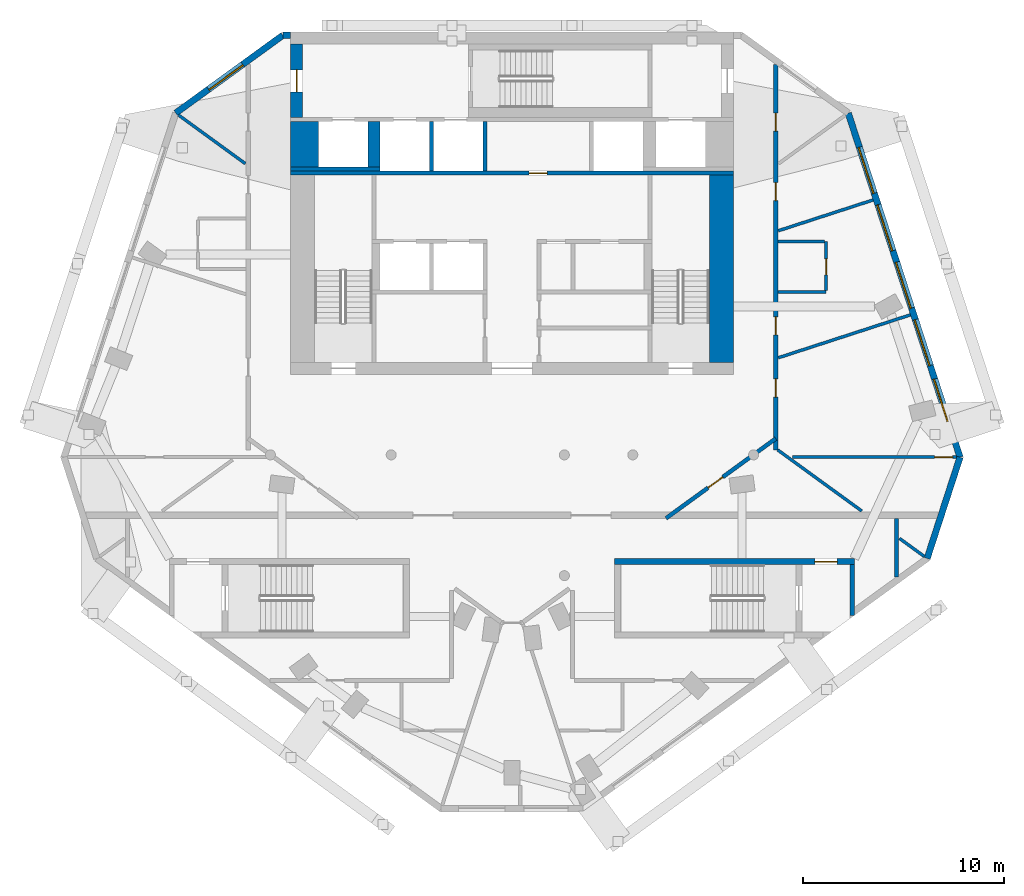
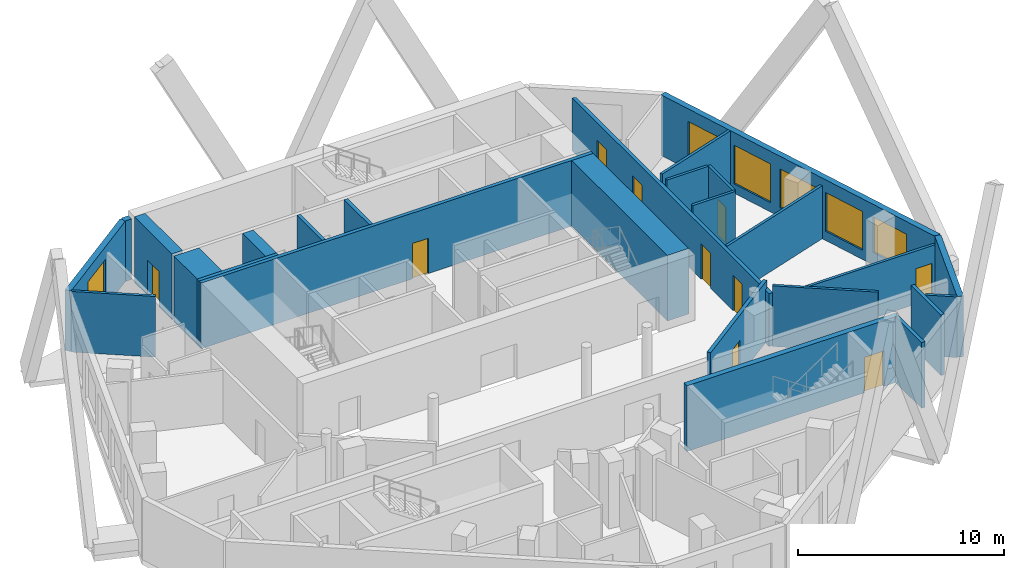
# One storey, part 5 of 8: 26 walls, 10 doors, 6 windows, 16 openings.
"""IFC4 building model written with IfcOpenShell, lengths in metres."""

import ifcopenshell
import ifcopenshell.guid

model = None  # the IFC model being written
_history = None  # IfcOwnerHistory: only IFC2X3 demands one
_inside = {}  # id of a spatial element -> (the spatial element, [elements in it])
_under = {}  # id of a project, library or spatial element -> (it, [spatial elements below it])
_declared = {}  # id of a project -> (the project, [libraries it declares])
_typed = {}  # id of a type object -> (the type object, [elements of that type])
_made_of = {}  # id of a material, layer set ... -> (it, [elements and type objects made of it])


def new_model(schema):
    """Start an empty IFC model of exactly this schema.

    Asked for "IFC4X3", IfcOpenShell would pick the latest addendum, in which some entities
    have other attributes; the version numbers below select the first issue.
    IFC2X3 requires an IfcOwnerHistory on every rooted entity: one is made here for all.
    """
    global model, _history
    if schema == "IFC4X3":
        model = ifcopenshell.file(schema_version=(4, 3, 0, 0))
    else:
        model = ifcopenshell.file(schema=schema)
    _inside.clear()
    _under.clear()
    _declared.clear()
    _typed.clear()
    _made_of.clear()
    _history = None
    if model.schema == "IFC2X3":
        org = make("IfcOrganization", Name="unknown")
        user = make(
            "IfcPersonAndOrganization",
            ThePerson=make("IfcPerson", FamilyName="unknown"),
            TheOrganization=org,
        )
        app = make(
            "IfcApplication",
            ApplicationDeveloper=org,
            Version="unknown",
            ApplicationFullName="unknown",
            ApplicationIdentifier="unknown",
        )
        _history = make(
            "IfcOwnerHistory",
            OwningUser=user,
            OwningApplication=app,
            ChangeAction="ADDED",
            CreationDate=0,
        )
    return model


def make(cls, **values):
    """One entity of the class cls with the attributes given. An attribute that is None is left unset."""
    return model.create_entity(
        cls, **{name: value for name, value in values.items() if value is not None}
    )


def rooted(cls, **values):
    """An entity with a GlobalId (a new one), such as an element, a storey or a relation."""
    return make(cls, GlobalId=ifcopenshell.guid.new(), OwnerHistory=_history, **values)


def si_unit(unit_type, name, prefix=None):
    """IfcSIUnit, for example si_unit("LENGTHUNIT", "METRE", prefix="MILLI")."""
    return make("IfcSIUnit", UnitType=unit_type, Prefix=prefix, Name=name)


def assignment(units):
    """IfcUnitAssignment: the units of a project."""
    return None if units is None else make("IfcUnitAssignment", Units=units)


def point(xyz):
    """IfcCartesianPoint."""
    return None if xyz is None else make("IfcCartesianPoint", Coordinates=xyz)


def direction(xyz):
    """IfcDirection."""
    return None if xyz is None else make("IfcDirection", DirectionRatios=xyz)


def frame(location, z_axis=None, x_axis=None):
    """IfcAxis2Placement3D, a coordinate frame: its origin and axes. An axis left out is left unset."""
    return make(
        "IfcAxis2Placement3D",
        Location=point(location),
        Axis=direction(z_axis),
        RefDirection=direction(x_axis),
    )


def frame_2d(location, x_axis=None):
    """IfcAxis2Placement2D, a coordinate frame in the plane: its origin and x axis."""
    return make(
        "IfcAxis2Placement2D", Location=point(location), RefDirection=direction(x_axis)
    )


def origin():
    """The frame at (0, 0, 0) with its axes left unset."""
    return frame((0.0, 0.0, 0.0))


def place(relative_to, where):
    """IfcLocalPlacement: puts the frame where relative to a parent placement (None: the world)."""
    return make(
        "IfcLocalPlacement", PlacementRelTo=relative_to, RelativePlacement=where
    )


def context(
    kind, dimensions, precision=None, world=None, true_north=None, identifier=None
):
    """IfcGeometricRepresentationContext, for example the 3D "Model" context."""
    return make(
        "IfcGeometricRepresentationContext",
        ContextIdentifier=identifier,
        ContextType=kind,
        CoordinateSpaceDimension=dimensions,
        Precision=precision,
        WorldCoordinateSystem=world,
        TrueNorth=true_north,
    )


def subcontext(parent, identifier, kind, view, scale=None):
    """IfcGeometricRepresentationSubContext, for example "Body" below "Model"."""
    return make(
        "IfcGeometricRepresentationSubContext",
        ContextIdentifier=identifier,
        ContextType=kind,
        ParentContext=parent,
        TargetScale=scale,
        TargetView=view,
    )


def project(units=None, contexts=None):
    """IfcProject with its units and contexts."""
    return rooted(
        "IfcProject",
        Name="project",
        RepresentationContexts=contexts,
        UnitsInContext=assignment(units),
    )


def spatial(cls, under=None, at=None, **own):
    """A site, building, storey or space (cls), placed at a placement, below another one or the project."""
    s = rooted(cls, ObjectPlacement=at, **own)
    if under is not None:
        _under.setdefault(under.id(), (under, []))[1].append(s)
    return s


def profile(cls, at=None, kind="AREA", **sizes):
    """A parametric profile (cls). Its sizes go by their IFC names, for example OverallWidth=200.0."""
    return make(cls, ProfileType=kind, Position=at, **sizes)


def rectangle(**sizes):
    """IfcRectangleProfileDef."""
    return profile("IfcRectangleProfileDef", **sizes)


def extrude(swept, where, along, depth):
    """IfcExtrudedAreaSolid: the profile swept, set in the frame where, extruded along a direction by depth."""
    return make(
        "IfcExtrudedAreaSolid",
        SweptArea=swept,
        Position=where,
        ExtrudedDirection=direction(along),
        Depth=depth,
    )


def shape(context_of_items, identifier, shape_type, items):
    """IfcShapeRepresentation: the items that make up one representation, for example the "Body"."""
    return make(
        "IfcShapeRepresentation",
        ContextOfItems=context_of_items,
        RepresentationIdentifier=identifier,
        RepresentationType=shape_type,
        Items=items,
    )


def material(Name=None, Category=None):
    """IfcMaterial."""
    return make("IfcMaterial", Name=Name, Category=Category)


def layer(
    of_material, thickness, ventilated=None, Name=None, Category=None, Priority=None
):
    """IfcMaterialLayer: one layer of a wall or slab, of a material (None: an air gap)."""
    return make(
        "IfcMaterialLayer",
        Material=of_material,
        LayerThickness=thickness,
        IsVentilated=ventilated,
        Name=Name,
        Category=Category,
        Priority=Priority,
    )


def layer_set(layers, Name=None):
    """IfcMaterialLayerSet."""
    return make("IfcMaterialLayerSet", MaterialLayers=layers, LayerSetName=Name)


def made_of(thing, what):
    """Note that an element or type object is made of a material, layer set ...; save() writes the relation."""
    if what is not None:
        _made_of.setdefault(what.id(), (what, []))[1].append(thing)
    return thing


def type_object(cls, material=None, **own):
    """A type object (cls), such as IfcWallType, which elements share."""
    return made_of(rooted(cls, **own), material)


def element(
    cls,
    number,
    at=None,
    inside=None,
    cuts=None,
    type_object=None,
    material=None,
    context=None,
    identifier="Body",
    shape_type=None,
    held_by="IfcProductDefinitionShape",
    body=None,
    shapes=None,
    **own,
):
    """One element of the class cls, such as IfcWall. Its Tag is "e" and its number.

    at: its placement. inside: the storey or other place that contains it. cuts: it is an
    opening in that element (IfcRelVoidsElement). A single representation is given by context,
    identifier, shape_type and body (its items); several are given by shapes. held_by: the class
    of the entity that holds the representations. save() writes the other relations.
    """
    e = rooted(cls, Tag="e%d" % number, ObjectPlacement=at, **own)
    if body is not None:
        shapes = [shape(context, identifier, shape_type, body)]
    if shapes is not None:
        e.Representation = make(held_by, Representations=shapes)
    if inside is not None:
        _inside.setdefault(inside.id(), (inside, []))[1].append(e)
    if cuts is not None:
        rooted(
            "IfcRelVoidsElement", RelatingBuildingElement=cuts, RelatedOpeningElement=e
        )
    if type_object is not None:
        _typed.setdefault(type_object.id(), (type_object, []))[1].append(e)
    return made_of(e, material)


def fill(opening, filler):
    """IfcRelFillsElement: the door or window that sits in an opening."""
    return rooted(
        "IfcRelFillsElement",
        RelatingOpeningElement=opening,
        RelatedBuildingElement=filler,
    )


def aggregate(whole, parts):
    """IfcRelAggregates: a whole, such as a stair, and the parts it consists of."""
    return rooted("IfcRelAggregates", RelatingObject=whole, RelatedObjects=parts)


def save(model, path):
    """Write the relations noted so far, then the file.

    IfcRelAggregates (storeys below a building ...), IfcRelContainedInSpatialStructure (elements
    in a storey), IfcRelDefinesByType, IfcRelAssociatesMaterial and IfcRelDeclares: one each for
    every whole, place, type object, material and project.
    """
    for whole, parts in _under.values():
        aggregate(whole, parts)
    for where, things in _inside.values():
        rooted(
            "IfcRelContainedInSpatialStructure",
            RelatedElements=things,
            RelatingStructure=where,
        )
    for kind, things in _typed.values():
        rooted("IfcRelDefinesByType", RelatedObjects=things, RelatingType=kind)
    for what, things in _made_of.values():
        rooted("IfcRelAssociatesMaterial", RelatedObjects=things, RelatingMaterial=what)
    for by, libraries in _declared.values():
        rooted("IfcRelDeclares", RelatingContext=by, RelatedDefinitions=libraries)
    model.write(path)


model = new_model("IFC4")

# Units and contexts
model_context = context("Model", 3, precision=1e-05, world=origin(), true_north=direction((0.0, 1.0)))
body_context = subcontext(model_context, "Body", "Model", "MODEL_VIEW")
ifc_project = project(units=[si_unit("LENGTHUNIT", "METRE"), si_unit("AREAUNIT", "SQUARE_METRE"), si_unit("VOLUMEUNIT", "CUBIC_METRE"), si_unit("PLANEANGLEUNIT", "RADIAN"), si_unit("MASSUNIT", "GRAM", prefix="KILO")], contexts=[model_context])

# Site, building, storey
site_placement = place(None, origin())
site = spatial("IfcSite", under=ifc_project, at=site_placement, CompositionType="ELEMENT")
building_placement = place(site_placement, origin())
building = spatial("IfcBuilding", under=site, at=building_placement, Name="White Candle Pilgrim Tower", CompositionType="ELEMENT")
storey_placement = place(building_placement, frame((0.0, 0.0, 306.10009765625)))
storey = spatial("IfcBuildingStorey", under=building, at=storey_placement, Name="L72", CompositionType="ELEMENT", Elevation=306.10009765625)

# Walls
ifc_material_1 = material(Name="Concrete C40/50", Category="concrete")
ifc_layer_1 = layer(ifc_material_1, 1.39990234375)
ifc_layer_set_1 = layer_set([ifc_layer_1], Name="Core wall 1400 mm Concrete C40/50")
wall_type_1 = type_object("IfcWallType", Name="Core wall 1400 mm Concrete C40/50", PredefinedType="SHEAR", material=ifc_layer_set_1)
wall_1_placement = place(storey_placement, frame((59.699951171875, 81.300048828125, 0.0), z_axis=(0.0, 0.0, 1.0), x_axis=(0.0, 1.0, 0.0)))
element("IfcWall", 1, at=wall_1_placement, inside=storey, type_object=wall_type_1, Name="WL-L72-C39", PredefinedType="SHEAR", context=body_context, shape_type="SweptSolid", body=[
    extrude(rectangle(XDim=2.25, YDim=1.39990234375, at=frame_2d((1.125, 0.0))), origin(), (0.0, 0.0, 1.0), 3.89990234375),
])
ifc_layer_2 = layer(ifc_material_1, 0.199951171875)
ifc_layer_set_2 = layer_set([ifc_layer_2], Name="Core wall 200 mm Concrete C40/50")
wall_type_2 = type_object("IfcWallType", Name="Core wall 200 mm Concrete C40/50", PredefinedType="SHEAR", material=ifc_layer_set_2)
wall_2_placement = place(storey_placement, frame((86.89990234375, 59.023193359375, 0.0), z_axis=(0.0, 0.0, 1.0), x_axis=(0.0, 1.0, 0.0)))
element("IfcWall", 2, at=wall_2_placement, inside=storey, type_object=wall_type_2, Name="WL-L72-C08", PredefinedType="SHEAR", context=body_context, shape_type="SweptSolid", body=[
    extrude(rectangle(XDim=2.52685546875, YDim=0.199951171875, at=frame_2d((1.263427734375, 0.0))), origin(), (0.0, 0.0, 1.0), 3.89990234375),
])
wall_3_placement = place(storey_placement, frame((59.0, 81.199951171875, 0.0), z_axis=(0.0, 0.0, 1.0), x_axis=(1.0, 0.0, 0.0)))
element("IfcWall", 3, at=wall_3_placement, inside=storey, type_object=wall_type_2, Name="WL-L72-C34", PredefinedType="SHEAR", context=body_context, shape_type="SweptSolid", body=[
    extrude(rectangle(XDim=4.449951171875, YDim=0.199951171875, at=frame_2d((2.22509765625, 0.0))), origin(), (0.0, 0.0, 1.0), 3.89990234375),
])

# Wall, opening, door
ifc_layer_3 = layer(ifc_material_1, 0.60009765625)
ifc_layer_set_3 = layer_set([ifc_layer_3], Name="Core wall 600 mm Concrete C40/50")
wall_type_3 = type_object("IfcWallType", Name="Core wall 600 mm Concrete C40/50", PredefinedType="SHEAR", material=ifc_layer_set_3)
wall_4_placement = place(storey_placement, frame((59.300048828125, 83.75, 0.0), z_axis=(0.0, 0.0, 1.0), x_axis=(0.0, 1.0, 0.0)))
wall_4 = element("IfcWall", 4, at=wall_4_placement, inside=storey, type_object=wall_type_3, Name="WL-L72-C44", PredefinedType="SHEAR", context=body_context, shape_type="SweptSolid", body=[
    extrude(rectangle(XDim=3.64990234375, YDim=0.60009765625, at=frame_2d((1.824951171875, 0.0))), origin(), (0.0, 0.0, 1.0), 3.89990234375),
])
opening_1_placement = place(wall_4_placement, frame((1.27490234375, 0.0, 0.0)))
opening_1 = element("IfcOpeningElement", 5, at=opening_1_placement, cuts=wall_4, Name="Opening T22-008", PredefinedType="OPENING", context=body_context, shape_type="SweptSolid", body=[
    extrude(rectangle(XDim=1.10009765625, YDim=2.10009765625, at=frame_2d((0.550048828125, 1.050048828125))), frame((0.0, 0.31005859375, 0.0), z_axis=(0.0, -1.0, 0.0), x_axis=(1.0, 0.0, 0.0)), (0.0, 0.0, 1.0), 0.6201171875),
])
ifc_material_2 = material(Name="Steel door leaf", Category="steel")
door_type_1 = type_object("IfcDoorType", Name="Fire door 1100 x 2100 EI 60", OperationType="NOTDEFINED", PredefinedType="DOOR", material=ifc_material_2)
door_1_placement = place(opening_1_placement, origin())
door_1 = element("IfcDoor", 6, at=door_1_placement, inside=storey, type_object=door_type_1, Name="Door T22-008", OperationType="SINGLE_SWING_RIGHT", OverallHeight=2.10009765625, OverallWidth=1.10009765625, PredefinedType="DOOR", context=body_context, shape_type="SweptSolid", body=[
    extrude(rectangle(XDim=1.10009765625, YDim=2.10009765625, at=frame_2d((0.550048828125, 1.050048828125))), frame((0.0, 0.02490234375, 0.0), z_axis=(0.0, -1.0, 0.0), x_axis=(1.0, 0.0, 0.0)), (0.0, 0.0, 1.0), 0.050048828125),
])
fill(opening_1, door_1)

# Wall, openings, doors
ifc_material_3 = material(Name="Gypsum board on steel studs", Category="steel")
ifc_layer_4 = layer(ifc_material_3, 0.199951171875)
ifc_layer_set_4 = layer_set([ifc_layer_4], Name="Corridor wall 200 mm EI 45")
wall_type_4 = type_object("IfcWallType", Name="Corridor wall 200 mm EI 45", PredefinedType="PARTITIONING", material=ifc_layer_set_4)
wall_5_placement = place(storey_placement, frame((83.10009765625, 86.396240234375, 0.0), z_axis=(0.0, 0.0, 1.0), x_axis=(0.0, -1.0, 0.0)))
wall_5 = element("IfcWall", 7, at=wall_5_placement, inside=storey, type_object=wall_type_4, Name="WL-L72-P005", PredefinedType="PARTITIONING", context=body_context, shape_type="SweptSolid", body=[
    extrude(rectangle(XDim=19.14404296875, YDim=0.199951171875, at=frame_2d((9.572021484375, 0.0))), origin(), (0.0, 0.0, 1.0), 3.14990234375),
])
opening_2_placement = place(wall_5_placement, frame((2.421630859375, 0.0, 0.0)))
opening_2 = element("IfcOpeningElement", 8, at=opening_2_placement, cuts=wall_5, Name="Opening T22-113", PredefinedType="OPENING", context=body_context, shape_type="SweptSolid", body=[
    extrude(rectangle(XDim=0.89990234375, YDim=2.10009765625, at=frame_2d((0.449951171875, 1.050048828125))), frame((0.0, 0.10986328125, 0.0), z_axis=(0.0, -1.0, 0.0), x_axis=(1.0, 0.0, 0.0)), (0.0, 0.0, 1.0), 0.219970703125),
])
opening_3_placement = place(wall_5_placement, frame((5.872802734375, 0.0, 0.0)))
opening_3 = element("IfcOpeningElement", 9, at=opening_3_placement, cuts=wall_5, Name="Opening T22-114", PredefinedType="OPENING", context=body_context, shape_type="SweptSolid", body=[
    extrude(rectangle(XDim=0.89990234375, YDim=2.10009765625, at=frame_2d((0.449951171875, 1.050048828125))), frame((0.0, 0.10986328125, 0.0), z_axis=(0.0, -1.0, 0.0), x_axis=(1.0, 0.0, 0.0)), (0.0, 0.0, 1.0), 0.219970703125),
])
opening_4_placement = place(wall_5_placement, frame((12.539306640625, 0.0, 0.0)))
opening_4 = element("IfcOpeningElement", 10, at=opening_4_placement, cuts=wall_5, Name="Opening T22-115", PredefinedType="OPENING", context=body_context, shape_type="SweptSolid", body=[
    extrude(rectangle(XDim=0.89990234375, YDim=2.10009765625, at=frame_2d((0.449951171875, 1.050048828125))), frame((0.0, 0.10986328125, 0.0), z_axis=(0.0, -1.0, 0.0), x_axis=(1.0, 0.0, 0.0)), (0.0, 0.0, 1.0), 0.219970703125),
])
opening_5_placement = place(wall_5_placement, frame((15.6279296875, 0.0, 0.0)))
opening_5 = element("IfcOpeningElement", 11, at=opening_5_placement, cuts=wall_5, Name="Opening T22-116", PredefinedType="OPENING", context=body_context, shape_type="SweptSolid", body=[
    extrude(rectangle(XDim=0.89990234375, YDim=2.10009765625, at=frame_2d((0.449951171875, 1.050048828125))), frame((0.0, 0.10986328125, 0.0), z_axis=(0.0, -1.0, 0.0), x_axis=(1.0, 0.0, 0.0)), (0.0, 0.0, 1.0), 0.219970703125),
])
door_type_2 = type_object("IfcDoorType", Name="Fire door 900 x 2100 EI 30", OperationType="NOTDEFINED", PredefinedType="DOOR", material=ifc_material_2)
door_2_placement = place(opening_2_placement, origin())
door_2 = element("IfcDoor", 12, at=door_2_placement, inside=storey, type_object=door_type_2, Name="Door T22-113", OperationType="SINGLE_SWING_LEFT", OverallHeight=2.10009765625, OverallWidth=0.89990234375, PredefinedType="DOOR", context=body_context, shape_type="SweptSolid", body=[
    extrude(rectangle(XDim=0.89990234375, YDim=2.10009765625, at=frame_2d((0.449951171875, 1.050048828125))), frame((0.0, 0.02490234375, 0.0), z_axis=(0.0, -1.0, 0.0), x_axis=(1.0, 0.0, 0.0)), (0.0, 0.0, 1.0), 0.050048828125),
])
fill(opening_2, door_2)
door_3_placement = place(opening_3_placement, origin())
door_3 = element("IfcDoor", 13, at=door_3_placement, inside=storey, type_object=door_type_2, Name="Door T22-114", OperationType="SINGLE_SWING_RIGHT", OverallHeight=2.10009765625, OverallWidth=0.89990234375, PredefinedType="DOOR", context=body_context, shape_type="SweptSolid", body=[
    extrude(rectangle(XDim=0.89990234375, YDim=2.10009765625, at=frame_2d((0.449951171875, 1.050048828125))), frame((0.0, 0.02490234375, 0.0), z_axis=(0.0, -1.0, 0.0), x_axis=(1.0, 0.0, 0.0)), (0.0, 0.0, 1.0), 0.050048828125),
])
fill(opening_3, door_3)
door_4_placement = place(opening_4_placement, origin())
door_4 = element("IfcDoor", 14, at=door_4_placement, inside=storey, type_object=door_type_2, Name="Door T22-115", OperationType="SINGLE_SWING_LEFT", OverallHeight=2.10009765625, OverallWidth=0.89990234375, PredefinedType="DOOR", context=body_context, shape_type="SweptSolid", body=[
    extrude(rectangle(XDim=0.89990234375, YDim=2.10009765625, at=frame_2d((0.449951171875, 1.050048828125))), frame((0.0, 0.02490234375, 0.0), z_axis=(0.0, -1.0, 0.0), x_axis=(1.0, 0.0, 0.0)), (0.0, 0.0, 1.0), 0.050048828125),
])
fill(opening_4, door_4)
door_5_placement = place(opening_5_placement, origin())
door_5 = element("IfcDoor", 15, at=door_5_placement, inside=storey, type_object=door_type_2, Name="Door T22-116", OperationType="SINGLE_SWING_RIGHT", OverallHeight=2.10009765625, OverallWidth=0.89990234375, PredefinedType="DOOR", context=body_context, shape_type="SweptSolid", body=[
    extrude(rectangle(XDim=0.89990234375, YDim=2.10009765625, at=frame_2d((0.449951171875, 1.050048828125))), frame((0.0, 0.02490234375, 0.0), z_axis=(0.0, -1.0, 0.0), x_axis=(1.0, 0.0, 0.0)), (0.0, 0.0, 1.0), 0.050048828125),
])
fill(opening_5, door_5)

# Wall, opening, door
wall_6_placement = place(storey_placement, frame((83.10009765625, 67.80859375, 0.0), z_axis=(0.0, 0.0, 1.0), x_axis=(-0.809033820778, -0.587762092038, 0.0)))
wall_6 = element("IfcWall", 16, at=wall_6_placement, inside=storey, type_object=wall_type_4, Name="WL-L72-P006", PredefinedType="PARTITIONING", context=body_context, shape_type="SweptSolid", body=[
    extrude(rectangle(XDim=6.73486328125, YDim=0.199951171875, at=frame_2d((3.367431640625, 0.0))), origin(), (0.0, 0.0, 1.0), 3.599853515625),
])
opening_6_placement = place(wall_6_placement, frame((3.254150390625, 0.0, 0.0)))
opening_6 = element("IfcOpeningElement", 17, at=opening_6_placement, cuts=wall_6, Name="Opening T22-118", PredefinedType="OPENING", context=body_context, shape_type="SweptSolid", body=[
    extrude(rectangle(XDim=0.89990234375, YDim=2.10009765625, at=frame_2d((0.449951171875, 1.050048828125))), frame((0.0, 0.10986328125, 0.0), z_axis=(0.0, -1.0, 0.0), x_axis=(1.0, 0.0, 0.0)), (0.0, 0.0, 1.0), 0.219970703125),
])
door_6_placement = place(opening_6_placement, origin())
door_6 = element("IfcDoor", 18, at=door_6_placement, inside=storey, type_object=door_type_2, Name="Door T22-118", OperationType="SINGLE_SWING_RIGHT", OverallHeight=2.10009765625, OverallWidth=0.89990234375, PredefinedType="DOOR", context=body_context, shape_type="SweptSolid", body=[
    extrude(rectangle(XDim=0.89990234375, YDim=2.10009765625, at=frame_2d((0.449951171875, 1.050048828125))), frame((0.0, 0.02490234375, 0.0), z_axis=(0.0, -1.0, 0.0), x_axis=(1.0, 0.0, 0.0)), (0.0, 0.0, 1.0), 0.050048828125),
])
fill(opening_6, door_6)

# Walls
wall_7_placement = place(storey_placement, frame((89.10009765625, 63.85009765625, 0.0), z_axis=(0.0, 0.0, 1.0), x_axis=(0.0, -1.0, 0.0)))
element("IfcWall", 19, at=wall_7_placement, inside=storey, type_object=wall_type_4, Name="WL-L72-P007", PredefinedType="PARTITIONING", context=body_context, shape_type="SweptSolid", body=[
    extrude(rectangle(XDim=2.90576171875, YDim=0.199951171875, at=frame_2d((1.452880859375, 0.0))), origin(), (0.0, 0.0, 1.0), 3.599853515625),
])
ifc_material_4 = material(Name="Precast concrete C40/50", Category="concrete")
ifc_layer_5 = layer(ifc_material_4, 0.320068359375)
ifc_layer_set_5 = layer_set([ifc_layer_5], Name="Facade wall EW1 precast concrete C40/50 pier wall with timber-lined reveals")
wall_type_5 = type_object("IfcWallType", Name="Facade wall EW1 precast concrete C40/50 pier wall with timber-lined reveals", PredefinedType="SOLIDWALL", material=ifc_layer_set_5)
wall_8_placement = place(storey_placement, frame((90.62060546875, 61.8515625, 0.0), z_axis=(0.0, 0.0, 1.0), x_axis=(0.30904851291, 0.951046274725, 0.0)))
element("IfcWall", 20, at=wall_8_placement, inside=storey, type_object=wall_type_5, Name="Facade wall L72 E chamfer", PredefinedType="SOLIDWALL", context=body_context, shape_type="SweptSolid", body=[
    extrude(rectangle(XDim=5.291259765625, YDim=0.320068359375, at=frame_2d((2.6455078125, 0.0))), origin(), (0.0, 0.0, 1.0), 3.599853515625),
])

# Wall, openings, windows
wall_9_placement = place(storey_placement, frame((92.255859375, 66.8837890625, 0.0), z_axis=(0.0, 0.0, 1.0), x_axis=(-0.309017883781, 0.951056227309, 0.0)))
wall_9 = element("IfcWall", 21, at=wall_9_placement, inside=storey, type_object=wall_type_5, Name="Facade wall L72 ENE", PredefinedType="SOLIDWALL", context=body_context, shape_type="SweptSolid", body=[
    extrude(rectangle(XDim=17.972900390625, YDim=0.320068359375, at=frame_2d((8.986328125, 0.0))), origin(), (0.0, 0.0, 1.0), 3.599853515625),
])
opening_7_placement = place(wall_9_placement, frame((1.886474609375, 0.0, 0.75)))
opening_7 = element("IfcOpeningElement", 22, at=opening_7_placement, cuts=wall_9, Name="Opening W4", PredefinedType="OPENING", context=body_context, shape_type="SweptSolid", body=[
    extrude(rectangle(XDim=2.199951171875, YDim=2.10009765625, at=frame_2d((1.10009765625, 1.050048828125))), frame((0.0, 0.169921875, 0.0), z_axis=(0.0, -1.0, 0.0), x_axis=(1.0, 0.0, 0.0)), (0.0, 0.0, 1.0), 0.340087890625),
])
opening_8_placement = place(wall_9_placement, frame((4.78662109375, 0.0, 0.550048828125)))
opening_8 = element("IfcOpeningElement", 23, at=opening_8_placement, cuts=wall_9, Name="Opening W5", PredefinedType="OPENING", context=body_context, shape_type="SweptSolid", body=[
    extrude(rectangle(XDim=2.39990234375, YDim=2.300048828125, at=frame_2d((1.199951171875, 1.14990234375))), frame((0.0, 0.169921875, 0.0), z_axis=(0.0, -1.0, 0.0), x_axis=(1.0, 0.0, 0.0)), (0.0, 0.0, 1.0), 0.340087890625),
])
opening_9_placement = place(wall_9_placement, frame((7.78662109375, 0.0, 0.550048828125)))
opening_9 = element("IfcOpeningElement", 24, at=opening_9_placement, cuts=wall_9, Name="Opening W5", PredefinedType="OPENING", context=body_context, shape_type="SweptSolid", body=[
    extrude(rectangle(XDim=2.39990234375, YDim=2.300048828125, at=frame_2d((1.199951171875, 1.14990234375))), frame((0.0, 0.169921875, 0.0), z_axis=(0.0, -1.0, 0.0), x_axis=(1.0, 0.0, 0.0)), (0.0, 0.0, 1.0), 0.340087890625),
])
opening_10_placement = place(wall_9_placement, frame((10.78662109375, 0.0, 0.550048828125)))
opening_10 = element("IfcOpeningElement", 25, at=opening_10_placement, cuts=wall_9, Name="Opening W5", PredefinedType="OPENING", context=body_context, shape_type="SweptSolid", body=[
    extrude(rectangle(XDim=2.39990234375, YDim=2.300048828125, at=frame_2d((1.199951171875, 1.14990234375))), frame((0.0, 0.169921875, 0.0), z_axis=(0.0, -1.0, 0.0), x_axis=(1.0, 0.0, 0.0)), (0.0, 0.0, 1.0), 0.340087890625),
])
opening_11_placement = place(wall_9_placement, frame((13.78662109375, 0.0, 0.550048828125)))
opening_11 = element("IfcOpeningElement", 26, at=opening_11_placement, cuts=wall_9, Name="Opening W5", PredefinedType="OPENING", context=body_context, shape_type="SweptSolid", body=[
    extrude(rectangle(XDim=2.39990234375, YDim=2.300048828125, at=frame_2d((1.199951171875, 1.14990234375))), frame((0.0, 0.169921875, 0.0), z_axis=(0.0, -1.0, 0.0), x_axis=(1.0, 0.0, 0.0)), (0.0, 0.0, 1.0), 0.340087890625),
])
ifc_material_5 = material(Name="Timber frame with triple glazing", Category="wood")
window_type_1 = type_object("IfcWindowType", Name="Window W4 2200x2100 timber frame triple glazing", PartitioningType="SINGLE_PANEL", PredefinedType="WINDOW", material=ifc_material_5)
window_1_placement = place(opening_7_placement, origin())
window_1 = element("IfcWindow", 27, at=window_1_placement, inside=storey, type_object=window_type_1, Name="Window W4 L72 ENE 1", OverallHeight=2.10009765625, OverallWidth=2.199951171875, PartitioningType="SINGLE_PANEL", PredefinedType="WINDOW", context=body_context, shape_type="SweptSolid", body=[
    extrude(rectangle(XDim=2.199951171875, YDim=2.10009765625, at=frame_2d((1.10009765625, 1.050048828125))), frame((0.0, 0.070068359375, 0.0), z_axis=(0.0, -1.0, 0.0), x_axis=(1.0, 0.0, 0.0)), (0.0, 0.0, 1.0), 0.06005859375),
])
fill(opening_7, window_1)
window_type_2 = type_object("IfcWindowType", Name="Window W5 2400x2300 timber frame triple glazing", PartitioningType="SINGLE_PANEL", PredefinedType="WINDOW", material=ifc_material_5)
window_2_placement = place(opening_8_placement, origin())
window_2 = element("IfcWindow", 28, at=window_2_placement, inside=storey, type_object=window_type_2, Name="Window W5 L72 ENE 2", OverallHeight=2.300048828125, OverallWidth=2.39990234375, PartitioningType="SINGLE_PANEL", PredefinedType="WINDOW", context=body_context, shape_type="SweptSolid", body=[
    extrude(rectangle(XDim=2.39990234375, YDim=2.300048828125, at=frame_2d((1.199951171875, 1.14990234375))), frame((0.0, 0.070068359375, 0.0), z_axis=(0.0, -1.0, 0.0), x_axis=(1.0, 0.0, 0.0)), (0.0, 0.0, 1.0), 0.06005859375),
])
fill(opening_8, window_2)
window_3_placement = place(opening_9_placement, origin())
window_3 = element("IfcWindow", 29, at=window_3_placement, inside=storey, type_object=window_type_2, Name="Window W5 L72 ENE 3", OverallHeight=2.300048828125, OverallWidth=2.39990234375, PartitioningType="SINGLE_PANEL", PredefinedType="WINDOW", context=body_context, shape_type="SweptSolid", body=[
    extrude(rectangle(XDim=2.39990234375, YDim=2.300048828125, at=frame_2d((1.199951171875, 1.14990234375))), frame((0.0, 0.070068359375, 0.0), z_axis=(0.0, -1.0, 0.0), x_axis=(1.0, 0.0, 0.0)), (0.0, 0.0, 1.0), 0.06005859375),
])
fill(opening_9, window_3)
window_4_placement = place(opening_10_placement, origin())
window_4 = element("IfcWindow", 30, at=window_4_placement, inside=storey, type_object=window_type_2, Name="Window W5 L72 ENE 4", OverallHeight=2.300048828125, OverallWidth=2.39990234375, PartitioningType="SINGLE_PANEL", PredefinedType="WINDOW", context=body_context, shape_type="SweptSolid", body=[
    extrude(rectangle(XDim=2.39990234375, YDim=2.300048828125, at=frame_2d((1.199951171875, 1.14990234375))), frame((0.0, 0.070068359375, 0.0), z_axis=(0.0, -1.0, 0.0), x_axis=(1.0, 0.0, 0.0)), (0.0, 0.0, 1.0), 0.06005859375),
])
fill(opening_10, window_4)
window_5_placement = place(opening_11_placement, origin())
window_5 = element("IfcWindow", 31, at=window_5_placement, inside=storey, type_object=window_type_2, Name="Window W5 L72 ENE 5", OverallHeight=2.300048828125, OverallWidth=2.39990234375, PartitioningType="SINGLE_PANEL", PredefinedType="WINDOW", context=body_context, shape_type="SweptSolid", body=[
    extrude(rectangle(XDim=2.39990234375, YDim=2.300048828125, at=frame_2d((1.199951171875, 1.14990234375))), frame((0.0, 0.070068359375, 0.0), z_axis=(0.0, -1.0, 0.0), x_axis=(1.0, 0.0, 0.0)), (0.0, 0.0, 1.0), 0.06005859375),
])
fill(opening_11, window_5)

# Wall
wall_10_placement = place(storey_placement, frame((59.0, 87.840087890625, 0.0), z_axis=(0.0, 0.0, 1.0), x_axis=(-1.0, 0.0, 0.0)))
element("IfcWall", 32, at=wall_10_placement, inside=storey, type_object=wall_type_5, Name="Facade wall L72 N", PredefinedType="SOLIDWALL", context=body_context, shape_type="SweptSolid", body=[
    extrude(rectangle(XDim=0.385009765625, YDim=0.320068359375, at=frame_2d((0.1923828125, 0.0))), origin(), (0.0, 0.0, 1.0), 3.599853515625),
])

# Wall, opening, window
wall_11_placement = place(storey_placement, frame((58.614990234375, 87.840087890625, 0.0), z_axis=(0.0, 0.0, 1.0), x_axis=(-0.809010691028, -0.587793928007, 0.0)))
wall_11 = element("IfcWall", 33, at=wall_11_placement, inside=storey, type_object=wall_type_5, Name="Facade wall L72 NW chamfer", PredefinedType="SOLIDWALL", context=body_context, shape_type="SweptSolid", body=[
    extrude(rectangle(XDim=6.572021484375, YDim=0.320068359375, at=frame_2d((3.2861328125, 0.0))), origin(), (0.0, 0.0, 1.0), 3.599853515625),
])
opening_12_placement = place(wall_11_placement, frame((2.459716796875, 0.0, 0.75)))
opening_12 = element("IfcOpeningElement", 34, at=opening_12_placement, cuts=wall_11, Name="Opening W3", PredefinedType="OPENING", context=body_context, shape_type="SweptSolid", body=[
    extrude(rectangle(XDim=2.10009765625, YDim=2.10009765625, at=frame_2d((1.050048828125, 1.050048828125))), frame((0.0, 0.169921875, 0.0), z_axis=(0.0, -1.0, 0.0), x_axis=(1.0, 0.0, 0.0)), (0.0, 0.0, 1.0), 0.340087890625),
])
window_type_3 = type_object("IfcWindowType", Name="Window W3 2100x2100 timber frame triple glazing", PartitioningType="SINGLE_PANEL", PredefinedType="WINDOW", material=ifc_material_5)
window_6_placement = place(opening_12_placement, origin())
window_6 = element("IfcWindow", 35, at=window_6_placement, inside=storey, type_object=window_type_3, Name="Window W3 L72 NW chamfer 1", OverallHeight=2.10009765625, OverallWidth=2.10009765625, PartitioningType="SINGLE_PANEL", PredefinedType="WINDOW", context=body_context, shape_type="SweptSolid", body=[
    extrude(rectangle(XDim=2.10009765625, YDim=2.10009765625, at=frame_2d((1.050048828125, 1.050048828125))), frame((0.0, 0.070068359375, 0.0), z_axis=(0.0, -1.0, 0.0), x_axis=(1.0, 0.0, 0.0)), (0.0, 0.0, 1.0), 0.06005859375),
])
fill(opening_12, window_6)

# Walls
ifc_layer_6 = layer(ifc_material_3, 0.14990234375)
ifc_layer_set_6 = layer_set([ifc_layer_6], Name="Partition 150 mm EI 60")
wall_type_6 = type_object("IfcWallType", Name="Partition 150 mm EI 60", PredefinedType="PARTITIONING", material=ifc_layer_set_6)
wall_12_placement = place(storey_placement, frame((53.434326171875, 83.87841796875, 0.0), z_axis=(0.0, 0.0, 1.0), x_axis=(0.809005997221, -0.587800388279, 0.0)))
element("IfcWall", 36, at=wall_12_placement, inside=storey, type_object=wall_type_6, Name="WL-L72-P015", PredefinedType="PARTITIONING", context=body_context, shape_type="SweptSolid", body=[
    extrude(rectangle(XDim=4.105712890625, YDim=0.14990234375, at=frame_2d((2.052734375, 0.0))), origin(), (0.0, 0.0, 1.0), 3.599853515625),
])
wall_13_placement = place(storey_placement, frame((90.484619140625, 61.950439453125, 0.0), z_axis=(0.0, 0.0, 1.0), x_axis=(-0.809059590881, 0.587726618764, 0.0)))
element("IfcWall", 37, at=wall_13_placement, inside=storey, type_object=wall_type_6, Name="WL-L72-P021", PredefinedType="PARTITIONING", context=body_context, shape_type="SweptSolid", body=[
    extrude(rectangle(XDim=1.533203125, YDim=0.14990234375, at=frame_2d((0.7666015625, 0.0))), origin(), (0.0, 0.0, 1.0), 3.599853515625),
])
wall_14_placement = place(storey_placement, frame((87.37353515625, 64.210693359375, 0.0), z_axis=(0.0, 0.0, 1.0), x_axis=(-0.809024239464, 0.587775280153, 0.0)))
element("IfcWall", 38, at=wall_14_placement, inside=storey, type_object=wall_type_6, Name="WL-L72-P022", PredefinedType="PARTITIONING", context=body_context, shape_type="SweptSolid", body=[
    extrude(rectangle(XDim=5.164306640625, YDim=0.14990234375, at=frame_2d((2.58203125, 0.0))), origin(), (0.0, 0.0, 1.0), 3.599853515625),
])

# Wall, opening, door
wall_15_placement = place(storey_placement, frame((92.08740234375, 66.8837890625, 0.0), z_axis=(0.0, 0.0, 1.0), x_axis=(-1.0, 0.0, 0.0)))
wall_15 = element("IfcWall", 39, at=wall_15_placement, inside=storey, type_object=wall_type_6, Name="WL-L72-P023", PredefinedType="PARTITIONING", context=body_context, shape_type="SweptSolid", body=[
    extrude(rectangle(XDim=8.162353515625, YDim=0.14990234375, at=frame_2d((4.0810546875, 0.0))), origin(), (0.0, 0.0, 1.0), 3.14990234375),
])
opening_13_placement = place(wall_15_placement, frame((0.199951171875, 0.0, 0.0)))
opening_13 = element("IfcOpeningElement", 40, at=opening_13_placement, cuts=wall_15, Name="Opening T22-117", PredefinedType="OPENING", context=body_context, shape_type="SweptSolid", body=[
    extrude(rectangle(XDim=0.89990234375, YDim=2.10009765625, at=frame_2d((0.449951171875, 1.050048828125))), frame((0.0, 0.0849609375, 0.0), z_axis=(0.0, -1.0, 0.0), x_axis=(1.0, 0.0, 0.0)), (0.0, 0.0, 1.0), 0.169921875),
])
door_7_placement = place(opening_13_placement, origin())
door_7 = element("IfcDoor", 41, at=door_7_placement, inside=storey, type_object=door_type_2, Name="Door T22-117", OperationType="SINGLE_SWING_LEFT", OverallHeight=2.10009765625, OverallWidth=0.89990234375, PredefinedType="DOOR", context=body_context, shape_type="SweptSolid", body=[
    extrude(rectangle(XDim=0.89990234375, YDim=2.10009765625, at=frame_2d((0.449951171875, 1.050048828125))), frame((0.0, 0.02490234375, 0.0), z_axis=(0.0, -1.0, 0.0), x_axis=(1.0, 0.0, 0.0)), (0.0, 0.0, 1.0), 0.050048828125),
])
fill(opening_13, door_7)

# Walls
wall_16_placement = place(storey_placement, frame((89.7900390625, 73.95458984375, 0.0), z_axis=(0.0, 0.0, 1.0), x_axis=(-0.951053294802, -0.309026908936, 0.0)))
element("IfcWall", 42, at=wall_16_placement, inside=storey, type_object=wall_type_6, Name="WL-L72-P033", PredefinedType="PARTITIONING", context=body_context, shape_type="SweptSolid", body=[
    extrude(rectangle(XDim=6.90478515625, YDim=0.14990234375, at=frame_2d((3.452392578125, 0.0))), origin(), (0.0, 0.0, 1.0), 3.14990234375),
])
wall_17_placement = place(storey_placement, frame((87.93603515625, 79.660888671875, 0.0), z_axis=(0.0, 0.0, 1.0), x_axis=(-0.95104565369, -0.309050424036, 0.0)))
element("IfcWall", 43, at=wall_17_placement, inside=storey, type_object=wall_type_6, Name="WL-L72-P034", PredefinedType="PARTITIONING", context=body_context, shape_type="SweptSolid", body=[
    extrude(rectangle(XDim=4.95556640625, YDim=0.14990234375, at=frame_2d((2.477783203125, 0.0))), origin(), (0.0, 0.0, 1.0), 3.599853515625),
])
wall_18_placement = place(storey_placement, frame((83.199951171875, 75.089599609375, 0.0), z_axis=(0.0, 0.0, 1.0), x_axis=(1.0, 0.0, 0.0)))
element("IfcWall", 44, at=wall_18_placement, inside=storey, type_object=wall_type_6, Name="WL-L72-P035", PredefinedType="PARTITIONING", context=body_context, shape_type="SweptSolid", body=[
    extrude(rectangle(XDim=2.400146484375, YDim=0.14990234375, at=frame_2d((1.2001953125, 0.0))), origin(), (0.0, 0.0, 1.0), 3.599853515625),
])

# Wall, opening, door
wall_19_placement = place(storey_placement, frame((85.60009765625, 77.589599609375, 0.0), z_axis=(0.0, 0.0, 1.0), x_axis=(0.0, -1.0, 0.0)))
wall_19 = element("IfcWall", 45, at=wall_19_placement, inside=storey, type_object=wall_type_6, Name="WL-L72-P036", PredefinedType="PARTITIONING", context=body_context, shape_type="SweptSolid", body=[
    extrude(rectangle(XDim=2.425048828125, YDim=0.14990234375, at=frame_2d((1.21240234375, 0.0))), origin(), (0.0, 0.0, 1.0), 3.599853515625),
])
opening_14_placement = place(wall_19_placement, frame((0.85009765625, 0.0, 0.0)))
opening_14 = element("IfcOpeningElement", 46, at=opening_14_placement, cuts=wall_19, Name="Opening T22-107", PredefinedType="OPENING", context=body_context, shape_type="SweptSolid", body=[
    extrude(rectangle(XDim=0.800048828125, YDim=2.10009765625, at=frame_2d((0.39990234375, 1.050048828125))), frame((0.0, 0.0849609375, 0.0), z_axis=(0.0, -1.0, 0.0), x_axis=(1.0, 0.0, 0.0)), (0.0, 0.0, 1.0), 0.169921875),
])
door_type_3 = type_object("IfcDoorType", Name="Fire door 800 x 2100 EI 30", OperationType="NOTDEFINED", PredefinedType="DOOR", material=ifc_material_2)
door_8_placement = place(opening_14_placement, origin())
door_8 = element("IfcDoor", 47, at=door_8_placement, inside=storey, type_object=door_type_3, Name="Door T22-107", OperationType="SINGLE_SWING_LEFT", OverallHeight=2.10009765625, OverallWidth=0.800048828125, PredefinedType="DOOR", context=body_context, shape_type="SweptSolid", body=[
    extrude(rectangle(XDim=0.800048828125, YDim=2.10009765625, at=frame_2d((0.39990234375, 1.050048828125))), frame((0.0, 0.02490234375, 0.0), z_axis=(0.0, -1.0, 0.0), x_axis=(1.0, 0.0, 0.0)), (0.0, 0.0, 1.0), 0.050048828125),
])
fill(opening_14, door_8)

# Walls
wall_20_placement = place(storey_placement, frame((83.199951171875, 77.589599609375, 0.0), z_axis=(0.0, 0.0, 1.0), x_axis=(1.0, 0.0, 0.0)))
element("IfcWall", 48, at=wall_20_placement, inside=storey, type_object=wall_type_6, Name="WL-L72-P037", PredefinedType="PARTITIONING", context=body_context, shape_type="SweptSolid", body=[
    extrude(rectangle(XDim=2.324951171875, YDim=0.14990234375, at=frame_2d((1.16259765625, 0.0))), origin(), (0.0, 0.0, 1.0), 3.599853515625),
])
ifc_layer_7 = layer(ifc_material_1, 0.199951171875)
ifc_layer_set_7 = layer_set([ifc_layer_7], Name="Shaft wall 200 mm Concrete C40/50")
wall_type_7 = type_object("IfcWallType", Name="Shaft wall 200 mm Concrete C40/50", PredefinedType="SHEAR", material=ifc_layer_set_7)
for number, where, z_axis, x_axis, name in (
    (49, (66.0, 81.10009765625, 0.0), (0.0, 0.0, 1.0), (0.0, 1.0, 0.0), "WL-L72-C35"),
    (50, (68.64990234375, 81.10009765625, 0.0), (0.0, 0.0, 1.0), (0.0, 1.0, 0.0), "WL-L72-C36"),
):
    element("IfcWall", number, at=place(storey_placement, frame(where, z_axis=z_axis, x_axis=x_axis)), inside=storey, type_object=wall_type_7, Name=name, PredefinedType="SHEAR", context=body_context, shape_type="SweptSolid", body=[
        extrude(rectangle(XDim=2.449951171875, YDim=0.199951171875, at=frame_2d((1.22509765625, 0.0))), origin(), (0.0, 0.0, 1.0), 3.89990234375),
    ])
ifc_layer_8 = layer(ifc_material_1, 0.60009765625)
ifc_layer_set_8 = layer_set([ifc_layer_8], Name="Shaft wall 600 mm Concrete C40/50")
wall_type_8 = type_object("IfcWallType", Name="Shaft wall 600 mm Concrete C40/50", PredefinedType="SHEAR", material=ifc_layer_set_8)
wall_21_placement = place(storey_placement, frame((63.14990234375, 81.300048828125, 0.0), z_axis=(0.0, 0.0, 1.0), x_axis=(0.0, 1.0, 0.0)))
element("IfcWall", 51, at=wall_21_placement, inside=storey, type_object=wall_type_8, Name="WL-L72-C40", PredefinedType="SHEAR", context=body_context, shape_type="SweptSolid", body=[
    extrude(rectangle(XDim=2.25, YDim=0.60009765625, at=frame_2d((1.125, 0.0))), origin(), (0.0, 0.0, 1.0), 3.89990234375),
])
ifc_layer_9 = layer(ifc_material_1, 1.199951171875)
ifc_layer_set_9 = layer_set([ifc_layer_9], Name="Stair shaft wall 1200 mm Concrete C40/50")
wall_type_9 = type_object("IfcWallType", Name="Stair shaft wall 1200 mm Concrete C40/50", PredefinedType="SHEAR", material=ifc_layer_set_9)
wall_22_placement = place(storey_placement, frame((80.39990234375, 71.60009765625, 0.0), z_axis=(0.0, 0.0, 1.0), x_axis=(0.0, 1.0, 0.0)))
element("IfcWall", 52, at=wall_22_placement, inside=storey, type_object=wall_type_9, Name="WL-L72-C17", PredefinedType="SHEAR", context=body_context, shape_type="SweptSolid", body=[
    extrude(rectangle(XDim=9.2998046875, YDim=1.199951171875, at=frame_2d((4.64990234375, 0.0))), origin(), (0.0, 0.0, 1.0), 3.89990234375),
])

# Wall, opening, door
ifc_layer_10 = layer(ifc_material_1, 0.199951171875)
ifc_layer_set_10 = layer_set([ifc_layer_10], Name="Stair shaft wall 200 mm Concrete C40/50")
wall_type_10 = type_object("IfcWallType", Name="Stair shaft wall 200 mm Concrete C40/50", PredefinedType="SHEAR", material=ifc_layer_set_10)
wall_23_placement = place(storey_placement, frame((59.0, 81.0, 0.0), z_axis=(0.0, 0.0, 1.0), x_axis=(1.0, 0.0, 0.0)))
wall_23 = element("IfcWall", 53, at=wall_23_placement, inside=storey, type_object=wall_type_10, Name="WL-L72-C33", PredefinedType="SHEAR", context=body_context, shape_type="SweptSolid", body=[
    extrude(rectangle(XDim=22.0, YDim=0.199951171875, at=frame_2d((11.0, 0.0))), origin(), (0.0, 0.0, 1.0), 3.89990234375),
])
opening_15_placement = place(wall_23_placement, frame((11.85009765625, 0.0, 0.0)))
opening_15 = element("IfcOpeningElement", 54, at=opening_15_placement, cuts=wall_23, Name="Opening T22-022", PredefinedType="OPENING", context=body_context, shape_type="SweptSolid", body=[
    extrude(rectangle(XDim=0.89990234375, YDim=2.10009765625, at=frame_2d((0.449951171875, 1.050048828125))), frame((0.0, 0.10986328125, 0.0), z_axis=(0.0, -1.0, 0.0), x_axis=(1.0, 0.0, 0.0)), (0.0, 0.0, 1.0), 0.219970703125),
])
door_9_placement = place(opening_15_placement, origin())
door_9 = element("IfcDoor", 55, at=door_9_placement, inside=storey, type_object=door_type_2, Name="Door T22-022", OperationType="SINGLE_SWING_RIGHT", OverallHeight=2.10009765625, OverallWidth=0.89990234375, PredefinedType="DOOR", context=body_context, shape_type="SweptSolid", body=[
    extrude(rectangle(XDim=0.89990234375, YDim=2.10009765625, at=frame_2d((0.449951171875, 1.050048828125))), frame((0.0, 0.02490234375, 0.0), z_axis=(0.0, -1.0, 0.0), x_axis=(1.0, 0.0, 0.0)), (0.0, 0.0, 1.0), 0.050048828125),
])
fill(opening_15, door_9)

ifc_layer_11 = layer(ifc_material_1, 0.300048828125)
ifc_layer_set_11 = layer_set([ifc_layer_11], Name="Stair shaft wall 300 mm Concrete C40/50")
wall_type_11 = type_object("IfcWallType", Name="Stair shaft wall 300 mm Concrete C40/50", PredefinedType="SHEAR", material=ifc_layer_set_11)
wall_24_placement = place(storey_placement, frame((75.10009765625, 61.699951171875, 0.0), z_axis=(0.0, 0.0, 1.0), x_axis=(1.0, 0.0, 0.0)))
wall_24 = element("IfcWall", 56, at=wall_24_placement, inside=storey, type_object=wall_type_11, Name="WL-L72-C10", PredefinedType="SHEAR", context=body_context, shape_type="SweptSolid", body=[
    extrude(rectangle(XDim=11.89990234375, YDim=0.300048828125, at=frame_2d((5.949951171875, 0.0))), origin(), (0.0, 0.0, 1.0), 3.89990234375),
])
opening_16_placement = place(wall_24_placement, frame((9.949951171875, 0.0, 0.0)))
opening_16 = element("IfcOpeningElement", 57, at=opening_16_placement, cuts=wall_24, Name="Opening T22-012", PredefinedType="OPENING", context=body_context, shape_type="SweptSolid", body=[
    extrude(rectangle(XDim=1.10009765625, YDim=2.10009765625, at=frame_2d((0.550048828125, 1.050048828125))), frame((0.0, 0.159912109375, 0.0), z_axis=(0.0, -1.0, 0.0), x_axis=(1.0, 0.0, 0.0)), (0.0, 0.0, 1.0), 0.320068359375),
])
door_10_placement = place(opening_16_placement, frame((1.10009765625, 0.0, 0.0), z_axis=(0.0, 0.0, 1.0), x_axis=(-1.0, 0.0, 0.0)))
door_10 = element("IfcDoor", 58, at=door_10_placement, inside=storey, type_object=door_type_1, Name="Door T22-012", OperationType="SINGLE_SWING_LEFT", OverallHeight=2.10009765625, OverallWidth=1.10009765625, PredefinedType="DOOR", context=body_context, shape_type="SweptSolid", body=[
    extrude(rectangle(XDim=1.10009765625, YDim=2.10009765625, at=frame_2d((0.550048828125, 1.050048828125))), frame((0.0, 0.02490234375, 0.0), z_axis=(0.0, -1.0, 0.0), x_axis=(1.0, 0.0, 0.0)), (0.0, 0.0, 1.0), 0.050048828125),
])
fill(opening_16, door_10)

save(model, "model.ifc")
